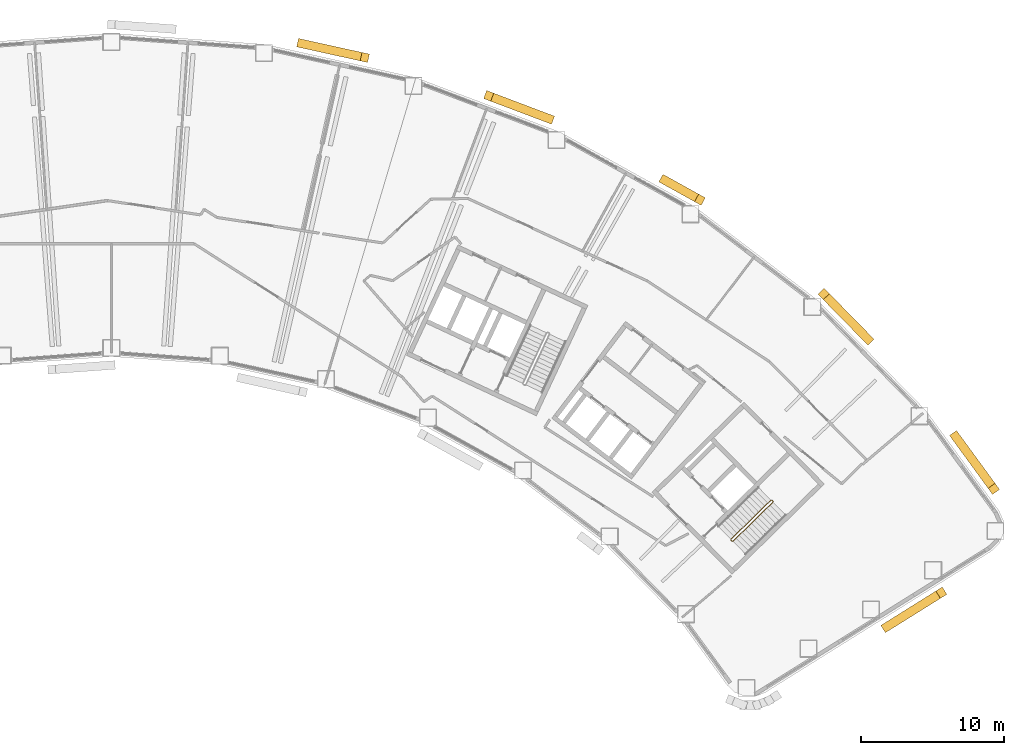
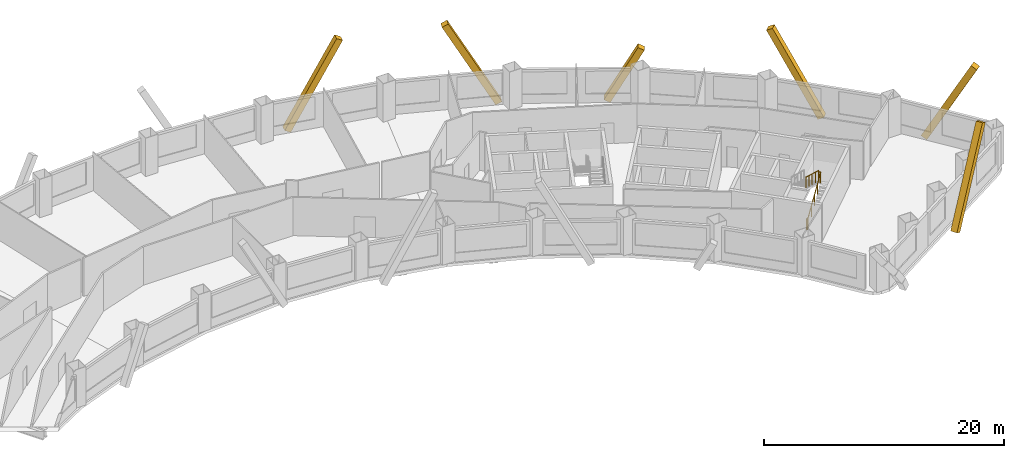
# One storey, part 11 of 11: 6 coverings, 1 railing.
"""IFC4 building model written with IfcOpenShell, lengths in metres."""

from ifc_helpers import new_model, si_unit, direction, frame, origin, origin_2d, place, context, subcontext, project, spatial, rectangle, circle, extrude, material, material_profile, profile_set, type_object, element, save


model = new_model("IFC4")

# Units and contexts
model_context = context("Model", 3, precision=1e-05, world=origin(), true_north=direction((0.0, 1.0)))
body_context = subcontext(model_context, "Body", "Model", "MODEL_VIEW")
ifc_project = project(units=[si_unit("LENGTHUNIT", "METRE"), si_unit("AREAUNIT", "SQUARE_METRE"), si_unit("VOLUMEUNIT", "CUBIC_METRE"), si_unit("PLANEANGLEUNIT", "RADIAN"), si_unit("MASSUNIT", "GRAM", prefix="KILO")], contexts=[model_context])

# Site, building, storey
site_placement = place(None, origin())
site = spatial("IfcSite", under=ifc_project, at=site_placement, CompositionType="ELEMENT")
building_placement = place(site_placement, origin())
building = spatial("IfcBuilding", under=site, at=building_placement, Name="Tuul Gate Civic Tower", CompositionType="ELEMENT")
storey_placement = place(building_placement, frame((0.0, 0.0, 65.39990234375)))
storey = spatial("IfcBuildingStorey", under=building, at=storey_placement, Name="Level 14", CompositionType="ELEMENT", Elevation=65.39990234375)

# Railing
ifc_material_1 = material(Name="Painted steel", Category="steel")
railing_type = type_object("IfcRailingType", Name="Stair guard", PredefinedType="GUARDRAIL", material=ifc_material_1)
railing_placement = place(storey_placement, frame((48.10546875, -16.134765625, 0.0)))
element("IfcRailing", 1, at=railing_placement, inside=storey, type_object=railing_type, Name="Level 14 ST-3 stair guard 1", PredefinedType="GUARDRAIL", context=body_context, shape_type="SweptSolid", body=[
    extrude(circle(Radius=0.02392578125, at=origin_2d()), frame((0.0, 0.0, 1.076171875), z_axis=(-0.698506948293, 0.715603272202, 0.0), x_axis=(-0.715603272202, -0.698506948293, 0.0)), (0.0, 0.0, 1.0), 0.099853515625),
    extrude(circle(Radius=0.02392578125, at=origin_2d()), frame((-0.06982421875, 0.071533203125, 1.076171875), z_axis=(0.644948864628, -0.331432055434, 0.688617277337), x_axis=(0.457068866502, 0.889431307788, 0.0)), (0.0, 0.0, 1.0), 0.218017578125),
    extrude(circle(Radius=0.02392578125, at=origin_2d()), frame((0.07080078125, -0.000732421875, 1.22607421875), z_axis=(0.638731261263, 0.626133563701, 0.447190268558), x_axis=(-0.700029477518, 0.714113947914, 0.0)), (0.0, 0.0, 1.0), 4.3603515625),
    extrude(circle(Radius=0.02392578125, at=origin_2d()), frame((2.85595703125, 2.7294921875, 3.17626953125), z_axis=(0.010380063588, 0.999946125689, 0.0), x_axis=(-0.999946125689, 0.010380063588, 0.0)), (0.0, 0.0, 1.0), 0.070556640625),
    extrude(circle(Radius=0.02392578125, at=origin_2d()), frame((2.856689453125, 2.800048828125, 3.17626953125), z_axis=(-0.699754442181, 0.714383454909, 0.0), x_axis=(-0.714383454909, -0.699754442181, 0.0)), (0.0, 0.0, 1.0), 0.10009765625),
    extrude(circle(Radius=0.02392578125, at=origin_2d()), frame((2.78662109375, 2.87158203125, 3.17626953125), z_axis=(-0.427069033481, 0.004417955519, 0.904208229508), x_axis=(-0.010344274102, -0.999946496565, 0.0)), (0.0, 0.0, 1.0), 0.165771484375),
    extrude(circle(Radius=0.02392578125, at=origin_2d()), frame((2.7158203125, 2.872314453125, 3.326171875), z_axis=(-0.638715268259, -0.626117886127, 0.447235059857), x_axis=(0.700029477518, -0.714113947914, 0.0)), (0.0, 0.0, 1.0), 4.360595703125),
    extrude(circle(Radius=0.02099609375, at=origin_2d()), origin(), (0.0, 0.0, 1.0), 1.052001953125),
    extrude(circle(Radius=0.02099609375, at=origin_2d()), frame((-0.06982421875, 0.071533203125, 0.0)), (0.0, 0.0, 1.0), 1.052001953125),
    extrude(circle(Radius=0.02099609375, at=origin_2d()), frame((0.07080078125, -0.000732421875, 0.150146484375)), (0.0, 0.0, 1.0), 1.052001953125),
    extrude(circle(Radius=0.02099609375, at=origin_2d()), frame((0.76708984375, 0.681884765625, 0.6376953125)), (0.0, 0.0, 1.0), 1.052001953125),
    extrude(circle(Radius=0.02099609375, at=origin_2d()), frame((1.46337890625, 1.3642578125, 1.125)), (0.0, 0.0, 1.0), 1.052001953125),
    extrude(circle(Radius=0.02099609375, at=origin_2d()), frame((2.15966796875, 2.046875, 1.612548828125)), (0.0, 0.0, 1.0), 1.052001953125),
    extrude(circle(Radius=0.02099609375, at=origin_2d()), frame((2.85595703125, 2.7294921875, 2.10009765625)), (0.0, 0.0, 1.0), 1.052001953125),
    extrude(circle(Radius=0.02099609375, at=origin_2d()), frame((2.856689453125, 2.800048828125, 2.10009765625)), (0.0, 0.0, 1.0), 1.052001953125),
    extrude(circle(Radius=0.02099609375, at=origin_2d()), frame((2.78662109375, 2.87158203125, 2.10009765625)), (0.0, 0.0, 1.0), 1.052001953125),
    extrude(circle(Radius=0.02099609375, at=origin_2d()), frame((2.7158203125, 2.872314453125, 2.25)), (0.0, 0.0, 1.0), 1.052001953125),
    extrude(circle(Radius=0.02099609375, at=origin_2d()), frame((2.01953125, 2.189697265625, 2.737548828125)), (0.0, 0.0, 1.0), 1.052001953125),
    extrude(circle(Radius=0.02099609375, at=origin_2d()), frame((1.3232421875, 1.50732421875, 3.22509765625)), (0.0, 0.0, 1.0), 1.052001953125),
    extrude(circle(Radius=0.02099609375, at=origin_2d()), frame((0.626953125, 0.82470703125, 3.712646484375)), (0.0, 0.0, 1.0), 1.052001953125),
    extrude(circle(Radius=0.02099609375, at=origin_2d()), frame((-0.0693359375, 0.14208984375, 4.2001953125)), (0.0, 0.0, 1.0), 1.052001953125),
])

# Coverings
ifc_material_2 = material(Name="Terracotta baguette", Category="masonry")
ifc_material_profile = material_profile(ifc_material_2, rectangle(XDim=0.60009765625, YDim=0.60009765625, at=origin_2d()), Name="Terracotta baguette screen frame")
ifc_profile_set = profile_set([ifc_material_profile], Name="Terracotta baguette")
covering_type = type_object("IfcCoveringType", Name="Terracotta baguette screen frame", PredefinedType="CLADDING", material=ifc_profile_set)
covering_1_placement = place(storey_placement, frame((58.87060546875, -22.117431640625, -0.349853515625), z_axis=(0.402293025591, 0.251385166726, 0.880321429656), x_axis=(-0.529926214669, 0.848043753002, 0.0)))
element("IfcCovering", 2, at=covering_1_placement, inside=storey, type_object=covering_type, Name="Baguette 1", PredefinedType="CLADDING", context=body_context, shape_type="SweptSolid", body=[
    extrude(rectangle(XDim=0.60009765625, YDim=0.60009765625, at=origin_2d()), origin(), (0.0, 0.0, 1.0), 9.541748046875),
])
covering_2_placement = place(storey_placement, frame((66.368408203125, -12.477783203125, 8.050048828125), z_axis=(-0.281370554037, 0.385233710888, -0.878877465473), x_axis=(-0.807537279361, -0.589816532866, 0.0)))
element("IfcCovering", 3, at=covering_2_placement, inside=storey, type_object=covering_type, Name="Baguette 17", PredefinedType="CLADDING", context=body_context, shape_type="SweptSolid", body=[
    extrude(rectangle(XDim=0.60009765625, YDim=0.60009765625, at=origin_2d()), origin(), (0.0, 0.0, 1.0), 9.5576171875),
])
covering_3_placement = place(storey_placement, frame((54.501708984375, 1.117919921875, 7.8828125), z_axis=(0.332638374067, -0.339318278661, -0.879894776587), x_axis=(0.714100828426, 0.700042860718, 0.0)))
element("IfcCovering", 4, at=covering_3_placement, inside=storey, type_object=covering_type, Name="Baguette 32", PredefinedType="CLADDING", context=body_context, shape_type="SweptSolid", body=[
    extrude(rectangle(XDim=0.60009765625, YDim=0.60009765625, at=origin_2d()), origin(), (0.0, 0.0, 1.0), 9.3564453125),
])
covering_4_placement = place(storey_placement, frame((45.8681640625, 7.691650390625, 4.923095703125), z_axis=(-0.415584676534, 0.230382447388, -0.879893916654), x_axis=(-0.484841977451, -0.874601770465, 0.0)))
element("IfcCovering", 5, at=covering_4_placement, inside=storey, type_object=covering_type, Name="Baguette 38", PredefinedType="CLADDING", context=body_context, shape_type="SweptSolid", body=[
    extrude(rectangle(XDim=0.60009765625, YDim=0.60009765625, at=origin_2d()), origin(), (0.0, 0.0, 1.0), 5.99267578125),
])
covering_5_placement = place(storey_placement, frame((31.135009765625, 14.935302734375, 8.050048828125), z_axis=(0.444426574599, -0.168098508162, -0.879902216922), x_axis=(0.353776298619, 0.935330065023, 0.0)))
element("IfcCovering", 6, at=covering_5_placement, inside=storey, type_object=covering_type, Name="Baguette 53", PredefinedType="CLADDING", context=body_context, shape_type="SweptSolid", body=[
    extrude(rectangle(XDim=0.60009765625, YDim=0.60009765625, at=origin_2d()), origin(), (0.0, 0.0, 1.0), 9.54638671875),
])
covering_6_placement = place(storey_placement, frame((22.4912109375, 17.6142578125, 8.050048828125), z_axis=(-0.464036772307, 0.102269663955, -0.879892487627), x_axis=(-0.215226248943, -0.976564212823, 0.0)))
element("IfcCovering", 7, at=covering_6_placement, inside=storey, type_object=covering_type, Name="Baguette 59", PredefinedType="CLADDING", context=body_context, shape_type="SweptSolid", body=[
    extrude(rectangle(XDim=0.60009765625, YDim=0.60009765625, at=origin_2d()), origin(), (0.0, 0.0, 1.0), 9.546630859375),
])

save(model, "model.ifc")
